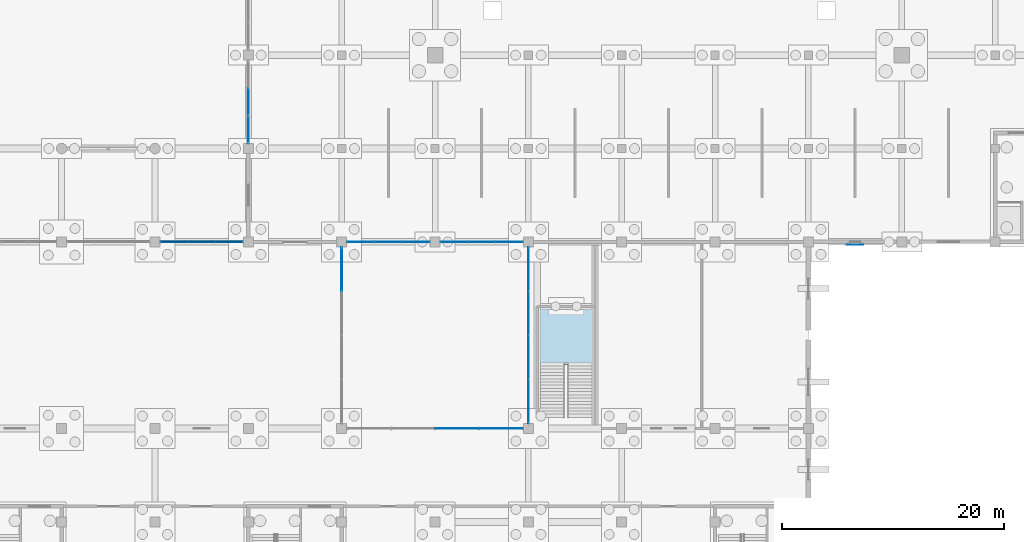
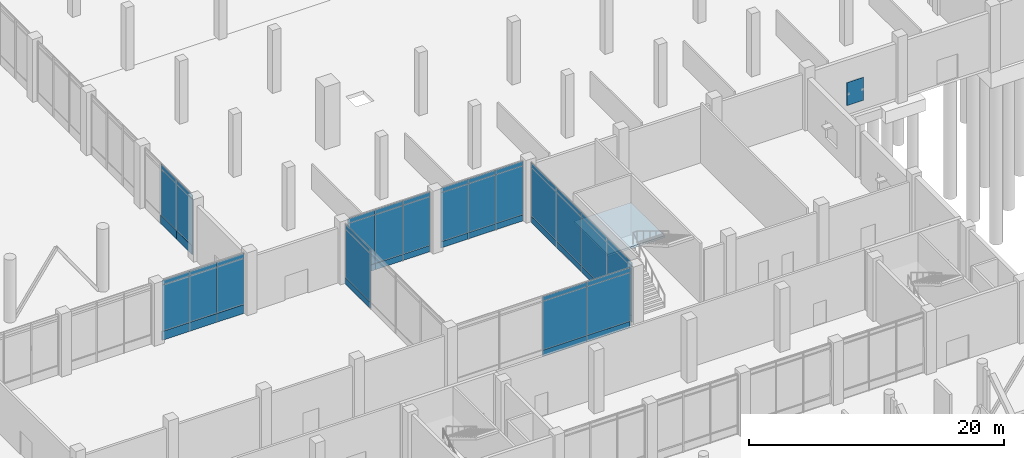
# One storey, part 47 of 72: 55 plates, 1 slab, 8 elements without a shape of their own.
"""IFC4 building model written with IfcOpenShell, lengths in metres."""

from ifc_helpers import new_model, si_unit, direction, frame, frame_2d, origin, place, context, subcontext, project, spatial, polyline, rectangle, outline, extrude, material, layer, layer_set, type_object, element, aggregate, save


model = new_model("IFC4")

# Units and contexts
model_context = context("Model", 3, precision=1e-05, world=origin(), true_north=direction((0.0, 1.0)))
body_context = subcontext(model_context, "Body", "Model", "MODEL_VIEW")
ifc_project = project(units=[si_unit("LENGTHUNIT", "METRE"), si_unit("AREAUNIT", "SQUARE_METRE"), si_unit("VOLUMEUNIT", "CUBIC_METRE"), si_unit("PLANEANGLEUNIT", "RADIAN"), si_unit("MASSUNIT", "GRAM", prefix="KILO")], contexts=[model_context])

# Site, building, storey
site_placement = place(None, origin())
site = spatial("IfcSite", under=ifc_project, at=site_placement, CompositionType="ELEMENT")
building_placement = place(site_placement, origin())
building = spatial("IfcBuilding", under=site, at=building_placement, Name="Qawsi Khor Wholesale Market", CompositionType="ELEMENT")
storey_placement = place(building_placement, origin())
storey = spatial("IfcBuildingStorey", under=building, at=storey_placement, Name="L00", CompositionType="ELEMENT", Elevation=0.0)

# Stair, slab
ifc_material_1 = material(Name="Concrete C40/50", Category="concrete")
stair_type = type_object("IfcStairType", Name="Atrium Feature Stair 6000 Rise", PredefinedType="HALF_TURN_STAIR", material=ifc_material_1)
stair_placement = place(storey_placement, origin())
stair = element("IfcStair", 1, at=stair_placement, inside=storey, type_object=stair_type, Name="Atrium feature stair E L00", PredefinedType="HALF_TURN_STAIR")
ifc_layer_1 = layer(ifc_material_1, 0.199951171875, Name="Concrete C40/50")
ifc_layer_set_1 = layer_set([ifc_layer_1], Name="Concrete C40/50")
slab_type = type_object("IfcSlabType", Name="Atrium Feature Landing Slab 200 C40/50", PredefinedType="LANDING", material=ifc_layer_set_1)
slab_placement = place(storey_placement, frame((0.0, 0.0, 2.800048828125)))
slab = element("IfcSlab", 2, at=slab_placement, type_object=slab_type, Name="ST-AE-0 landing 1", PredefinedType="LANDING", context=body_context, shape_type="SweptSolid", body=[
    extrude(outline(polyline([(168.820068359375, 30.969970703125), (173.97998046875, 30.969970703125), (173.97998046875, 36.219970703125), (168.820068359375, 36.219970703125), (168.820068359375, 30.969970703125)])), origin(), (0.0, 0.0, 1.0), 0.199951171875),
])
aggregate(stair, [slab])

# Curtain wall, plates
ifc_material_2 = material(Name="Aluminium Anodised Bronze", Category="aluminium")
ifc_layer_2 = layer(ifc_material_2, 0.179931640625, Name="Aluminium Anodised Bronze")
ifc_layer_set_2 = layer_set([ifc_layer_2], Name="Aluminium Anodised Bronze")
curtain_wall_type_1 = type_object("IfcCurtainWallType", Name="Atrium Full-Height Curtain Wall CW-02", PredefinedType="NOTDEFINED", material=ifc_layer_set_2)
curtain_wall_1_placement = place(storey_placement, origin())
curtain_wall_1 = element("IfcCurtainWall", 3, at=curtain_wall_1_placement, inside=storey, type_object=curtain_wall_type_1, Name="Curtain wall CW-CW-02-L00-031", PredefinedType="NOTDEFINED")
ifc_material_3 = material(Name="Anodised Aluminium Spandrel", Category="aluminium")
ifc_layer_3 = layer(ifc_material_3, 0.06494140625, Name="Anodised Aluminium Spandrel")
ifc_layer_set_3 = layer_set([ifc_layer_3], Name="Anodised Aluminium Spandrel")
plate_type_1 = type_object("IfcPlateType", Name="Insulated Spandrel Panel CW-02 65mm", PredefinedType="CURTAIN_PANEL", material=ifc_layer_set_3)
plate_1_placement = place(storey_placement, frame((159.60009765625, 25.199951171875, 0.0048828125), z_axis=(0.0, 0.0, 1.0), x_axis=(1.0, 0.0, 0.0)))
plate_1 = element("IfcPlate", 4, at=plate_1_placement, type_object=plate_type_1, Name="Curtain panel CW-CW-02-L00-031-P0_02", PredefinedType="CURTAIN_PANEL", context=body_context, shape_type="SweptSolid", body=[
    extrude(rectangle(XDim=3.952392578125, YDim=0.06494140625, at=frame_2d((1.97607421875, 0.0))), origin(), (0.0, 0.0, 1.0), 0.590087890625),
])
plate_2_placement = place(storey_placement, frame((163.552490234375, 25.199951171875, 0.0048828125), z_axis=(0.0, 0.0, 1.0), x_axis=(1.0, 0.0, 0.0)))
plate_2 = element("IfcPlate", 5, at=plate_2_placement, type_object=plate_type_1, Name="Curtain panel CW-CW-02-L00-031-P0_03", PredefinedType="CURTAIN_PANEL", context=body_context, shape_type="SweptSolid", body=[
    extrude(rectangle(XDim=3.952392578125, YDim=0.06494140625, at=frame_2d((1.97607421875, 0.0))), origin(), (0.0, 0.0, 1.0), 0.590087890625),
])

curtain_wall_2_placement = place(storey_placement, origin())
curtain_wall_2 = element("IfcCurtainWall", 6, at=curtain_wall_2_placement, inside=storey, type_object=curtain_wall_type_1, Name="Curtain wall CW-CW-02-L00-032", PredefinedType="NOTDEFINED")
plate_3_placement = place(storey_placement, frame((151.695068359375, 42.0, 0.0048828125), z_axis=(0.0, 0.0, 1.0), x_axis=(1.0, 0.0, 0.0)))
plate_3 = element("IfcPlate", 7, at=plate_3_placement, type_object=plate_type_1, Name="Curtain panel CW-CW-02-L00-032-P0_00", PredefinedType="CURTAIN_PANEL", context=body_context, shape_type="SweptSolid", body=[
    extrude(rectangle(XDim=2.469970703125, YDim=0.06494140625, at=frame_2d((1.23486328125, 0.0))), origin(), (0.0, 0.0, 1.0), 0.590087890625),
])
plate_4_placement = place(storey_placement, frame((154.1650390625, 42.0, 0.0048828125), z_axis=(0.0, 0.0, 1.0), x_axis=(1.0, 0.0, 0.0)))
plate_4 = element("IfcPlate", 8, at=plate_4_placement, type_object=plate_type_1, Name="Curtain panel CW-CW-02-L00-032-P0_01", PredefinedType="CURTAIN_PANEL", context=body_context, shape_type="SweptSolid", body=[
    extrude(rectangle(XDim=2.469970703125, YDim=0.06494140625, at=frame_2d((1.23486328125, 0.0))), origin(), (0.0, 0.0, 1.0), 0.590087890625),
])
plate_5_placement = place(storey_placement, frame((156.635009765625, 42.0, 0.0048828125), z_axis=(0.0, 0.0, 1.0), x_axis=(1.0, 0.0, 0.0)))
plate_5 = element("IfcPlate", 9, at=plate_5_placement, type_object=plate_type_1, Name="Curtain panel CW-CW-02-L00-032-P0_02", PredefinedType="CURTAIN_PANEL", context=body_context, shape_type="SweptSolid", body=[
    extrude(rectangle(XDim=2.469970703125, YDim=0.06494140625, at=frame_2d((1.23486328125, 0.0))), origin(), (0.0, 0.0, 1.0), 0.590087890625),
])

curtain_wall_3_placement = place(storey_placement, origin())
curtain_wall_3 = element("IfcCurtainWall", 10, at=curtain_wall_3_placement, inside=storey, type_object=curtain_wall_type_1, Name="Curtain wall CW-CW-02-L00-033", PredefinedType="NOTDEFINED")
plate_6_placement = place(storey_placement, frame((160.094970703125, 42.0, 0.0048828125), z_axis=(0.0, 0.0, 1.0), x_axis=(1.0, 0.0, 0.0)))
plate_6 = element("IfcPlate", 11, at=plate_6_placement, type_object=plate_type_1, Name="Curtain panel CW-CW-02-L00-033-P0_00", PredefinedType="CURTAIN_PANEL", context=body_context, shape_type="SweptSolid", body=[
    extrude(rectangle(XDim=2.469970703125, YDim=0.06494140625, at=frame_2d((1.23486328125, 0.0))), origin(), (0.0, 0.0, 1.0), 0.590087890625),
])
plate_7_placement = place(storey_placement, frame((162.56494140625, 42.0, 0.0048828125), z_axis=(0.0, 0.0, 1.0), x_axis=(1.0, 0.0, 0.0)))
plate_7 = element("IfcPlate", 12, at=plate_7_placement, type_object=plate_type_1, Name="Curtain panel CW-CW-02-L00-033-P0_01", PredefinedType="CURTAIN_PANEL", context=body_context, shape_type="SweptSolid", body=[
    extrude(rectangle(XDim=2.469970703125, YDim=0.06494140625, at=frame_2d((1.23486328125, 0.0))), origin(), (0.0, 0.0, 1.0), 0.590087890625),
])
plate_8_placement = place(storey_placement, frame((165.034912109375, 42.0, 0.0048828125), z_axis=(0.0, 0.0, 1.0), x_axis=(1.0, 0.0, 0.0)))
plate_8 = element("IfcPlate", 13, at=plate_8_placement, type_object=plate_type_1, Name="Curtain panel CW-CW-02-L00-033-P0_02", PredefinedType="CURTAIN_PANEL", context=body_context, shape_type="SweptSolid", body=[
    extrude(rectangle(XDim=2.469970703125, YDim=0.06494140625, at=frame_2d((1.23486328125, 0.0))), origin(), (0.0, 0.0, 1.0), 0.590087890625),
])

# Curtain wall, plate
curtain_wall_4_placement = place(storey_placement, origin())
curtain_wall_4 = element("IfcCurtainWall", 14, at=curtain_wall_4_placement, inside=storey, type_object=curtain_wall_type_1, Name="Curtain wall CW-CW-02-L00-034", PredefinedType="NOTDEFINED")
plate_9_placement = place(storey_placement, frame((151.199951171875, 37.552490234375, 0.0048828125), z_axis=(0.0, 0.0, 1.0), x_axis=(0.0, 1.0, 0.0)))
plate_9 = element("IfcPlate", 15, at=plate_9_placement, type_object=plate_type_1, Name="Curtain panel CW-CW-02-L00-034-P0_03", PredefinedType="CURTAIN_PANEL", context=body_context, shape_type="SweptSolid", body=[
    extrude(rectangle(XDim=3.952392578125, YDim=0.06494140625, at=frame_2d((1.97607421875, 0.0))), origin(), (0.0, 0.0, 1.0), 0.590087890625),
])

# Curtain wall, plates
curtain_wall_5_placement = place(storey_placement, origin())
curtain_wall_5 = element("IfcCurtainWall", 16, at=curtain_wall_5_placement, inside=storey, type_object=curtain_wall_type_1, Name="Curtain wall CW-CW-02-L00-035", PredefinedType="NOTDEFINED")
plate_10_placement = place(storey_placement, frame((168.0, 25.695068359375, 0.0048828125), z_axis=(0.0, 0.0, 1.0), x_axis=(0.0, 1.0, 0.0)))
plate_10 = element("IfcPlate", 17, at=plate_10_placement, type_object=plate_type_1, Name="Curtain panel CW-CW-02-L00-035-P0_00", PredefinedType="CURTAIN_PANEL", context=body_context, shape_type="SweptSolid", body=[
    extrude(rectangle(XDim=3.952392578125, YDim=0.06494140625, at=frame_2d((1.97607421875, 0.0))), origin(), (0.0, 0.0, 1.0), 0.590087890625),
])
plate_11_placement = place(storey_placement, frame((168.0, 29.6474609375, 0.0048828125), z_axis=(0.0, 0.0, 1.0), x_axis=(0.0, 1.0, 0.0)))
plate_11 = element("IfcPlate", 18, at=plate_11_placement, type_object=plate_type_1, Name="Curtain panel CW-CW-02-L00-035-P0_01", PredefinedType="CURTAIN_PANEL", context=body_context, shape_type="SweptSolid", body=[
    extrude(rectangle(XDim=3.95263671875, YDim=0.06494140625, at=frame_2d((1.976318359375, 0.0))), origin(), (0.0, 0.0, 1.0), 0.590087890625),
])
plate_12_placement = place(storey_placement, frame((168.0, 33.60009765625, 0.0048828125), z_axis=(0.0, 0.0, 1.0), x_axis=(0.0, 1.0, 0.0)))
plate_12 = element("IfcPlate", 19, at=plate_12_placement, type_object=plate_type_1, Name="Curtain panel CW-CW-02-L00-035-P0_02", PredefinedType="CURTAIN_PANEL", context=body_context, shape_type="SweptSolid", body=[
    extrude(rectangle(XDim=3.952392578125, YDim=0.06494140625, at=frame_2d((1.97607421875, 0.0))), origin(), (0.0, 0.0, 1.0), 0.590087890625),
])
plate_13_placement = place(storey_placement, frame((168.0, 37.552490234375, 0.0048828125), z_axis=(0.0, 0.0, 1.0), x_axis=(0.0, 1.0, 0.0)))
plate_13 = element("IfcPlate", 20, at=plate_13_placement, type_object=plate_type_1, Name="Curtain panel CW-CW-02-L00-035-P0_03", PredefinedType="CURTAIN_PANEL", context=body_context, shape_type="SweptSolid", body=[
    extrude(rectangle(XDim=3.952392578125, YDim=0.06494140625, at=frame_2d((1.97607421875, 0.0))), origin(), (0.0, 0.0, 1.0), 0.590087890625),
])

ifc_layer_4 = layer(ifc_material_2, 0.199951171875, Name="Aluminium Anodised Bronze")
ifc_layer_set_4 = layer_set([ifc_layer_4], Name="Aluminium Anodised Bronze")
curtain_wall_type_2 = type_object("IfcCurtainWallType", Name="Trading Hall North-Light Curtain Wall CW-03", PredefinedType="NOTDEFINED", material=ifc_layer_set_4)
curtain_wall_6_placement = place(storey_placement, origin())
curtain_wall_6 = element("IfcCurtainWall", 21, at=curtain_wall_6_placement, inside=storey, type_object=curtain_wall_type_2, Name="Curtain wall CW-CW-03-L00-075", PredefinedType="NOTDEFINED")
ifc_layer_5 = layer(ifc_material_3, 0.074951171875, Name="Anodised Aluminium Spandrel")
ifc_layer_set_5 = layer_set([ifc_layer_5], Name="Anodised Aluminium Spandrel")
plate_type_2 = type_object("IfcPlateType", Name="Insulated Spandrel Panel CW-03 75mm", PredefinedType="CURTAIN_PANEL", material=ifc_layer_set_5)
plate_14_placement = place(storey_placement, frame((142.800048828125, 50.8974609375, 0.0048828125), z_axis=(0.0, 0.0, 1.0), x_axis=(0.0, 1.0, 0.0)))
plate_14 = element("IfcPlate", 22, at=plate_14_placement, type_object=plate_type_2, Name="Curtain panel CW-CW-03-L00-075-P0_00", PredefinedType="CURTAIN_PANEL", context=body_context, shape_type="SweptSolid", body=[
    extrude(rectangle(XDim=2.46826171875, YDim=0.074951171875, at=frame_2d((1.234130859375, 0.0))), origin(), (0.0, 0.0, 1.0), 0.840087890625),
])
plate_15_placement = place(storey_placement, frame((142.800048828125, 53.36572265625, 0.0048828125), z_axis=(0.0, 0.0, 1.0), x_axis=(0.0, 1.0, 0.0)))
plate_15 = element("IfcPlate", 23, at=plate_15_placement, type_object=plate_type_2, Name="Curtain panel CW-CW-03-L00-075-P0_01", PredefinedType="CURTAIN_PANEL", context=body_context, shape_type="SweptSolid", body=[
    extrude(rectangle(XDim=2.468505859375, YDim=0.074951171875, at=frame_2d((1.234375, 0.0))), origin(), (0.0, 0.0, 1.0), 0.840087890625),
])

ifc_layer_6 = layer(ifc_material_2, 0.169921875, Name="Aluminium Anodised Bronze")
ifc_layer_set_6 = layer_set([ifc_layer_6], Name="Aluminium Anodised Bronze")
curtain_wall_type_3 = type_object("IfcCurtainWallType", Name="Central Court Gallery Curtain Wall CW-05", PredefinedType="NOTDEFINED", material=ifc_layer_set_6)
curtain_wall_7_placement = place(storey_placement, origin())
curtain_wall_7 = element("IfcCurtainWall", 24, at=curtain_wall_7_placement, inside=storey, type_object=curtain_wall_type_3, Name="Curtain wall CW-CW-05-L00-059", PredefinedType="NOTDEFINED")
ifc_layer_7 = layer(ifc_material_3, 0.094970703125, Name="Anodised Aluminium Spandrel")
ifc_layer_set_7 = layer_set([ifc_layer_7], Name="Anodised Aluminium Spandrel")
plate_type_3 = type_object("IfcPlateType", Name="Insulated Spandrel Panel CW-05 95mm", PredefinedType="CURTAIN_PANEL", material=ifc_layer_set_7)
plate_16_placement = place(storey_placement, frame((134.89990234375, 42.0, 0.0048828125), z_axis=(0.0, 0.0, 1.0), x_axis=(1.0, 0.0, 0.0)))
plate_16 = element("IfcPlate", 25, at=plate_16_placement, type_object=plate_type_3, Name="Curtain panel CW-CW-05-L00-059-P0_00", PredefinedType="CURTAIN_PANEL", context=body_context, shape_type="SweptSolid", body=[
    extrude(rectangle(XDim=2.466796875, YDim=0.094970703125, at=frame_2d((1.2333984375, 0.0))), origin(), (0.0, 0.0, 1.0), 0.840087890625),
])
plate_17_placement = place(storey_placement, frame((137.36669921875, 42.0, 0.0048828125), z_axis=(0.0, 0.0, 1.0), x_axis=(1.0, 0.0, 0.0)))
plate_17 = element("IfcPlate", 26, at=plate_17_placement, type_object=plate_type_3, Name="Curtain panel CW-CW-05-L00-059-P0_01", PredefinedType="CURTAIN_PANEL", context=body_context, shape_type="SweptSolid", body=[
    extrude(rectangle(XDim=2.466552734375, YDim=0.094970703125, at=frame_2d((1.2333984375, 0.0))), origin(), (0.0, 0.0, 1.0), 0.840087890625),
])
plate_18_placement = place(storey_placement, frame((139.833251953125, 42.0, 0.0048828125), z_axis=(0.0, 0.0, 1.0), x_axis=(1.0, 0.0, 0.0)))
plate_18 = element("IfcPlate", 27, at=plate_18_placement, type_object=plate_type_3, Name="Curtain panel CW-CW-05-L00-059-P0_02", PredefinedType="CURTAIN_PANEL", context=body_context, shape_type="SweptSolid", body=[
    extrude(rectangle(XDim=2.466796875, YDim=0.094970703125, at=frame_2d((1.2333984375, 0.0))), origin(), (0.0, 0.0, 1.0), 0.840087890625),
])

# Plate
ifc_material_4 = material(Name="Perforated Bronze-Anodised Aluminium", Category="aluminium")
ifc_layer_8 = layer(ifc_material_4, 0.014892578125, Name="Perforated Bronze-Anodised Aluminium")
ifc_layer_set_8 = layer_set([ifc_layer_8], Name="Perforated Bronze-Anodised Aluminium")
plate_type_4 = type_object("IfcPlateType", Name="Perforated Bronze Mashrabiya Screen 15mm", PredefinedType="SHEET", material=ifc_layer_set_8)
plate_19_placement = place(storey_placement, frame((198.14990234375, 41.735107421875, 0.949951171875), z_axis=(0.0, 0.0, 1.0), x_axis=(-1.0, 0.0, 0.0)))
element("IfcPlate", 28, at=plate_19_placement, inside=storey, type_object=plate_type_4, Name="Solar mashrabiya screen 089", PredefinedType="SHEET", context=body_context, shape_type="SweptSolid", body=[
    extrude(rectangle(XDim=1.5, YDim=0.014892578125, at=frame_2d((0.75, 0.0))), origin(), (0.0, 0.0, 1.0), 2.199951171875),
])

ifc_material_5 = material(Name="Tempered Low-E Solar Glass", Category="glass")
ifc_layer_9 = layer(ifc_material_5, 0.031982421875, Name="Tempered Low-E Solar Glass")
ifc_layer_set_9 = layer_set([ifc_layer_9], Name="Tempered Low-E Solar Glass")
plate_type_5 = type_object("IfcPlateType", Name="Solar Double-Glazed Unit CW-02 32mm", PredefinedType="CURTAIN_PANEL", material=ifc_layer_set_9)
plate_20_placement = place(storey_placement, frame((159.60009765625, 25.199951171875, 0.60498046875), z_axis=(0.0, 0.0, 1.0), x_axis=(1.0, 0.0, 0.0)))
plate_20 = element("IfcPlate", 29, at=plate_20_placement, type_object=plate_type_5, Name="Curtain panel CW-CW-02-L00-031-P1_02", PredefinedType="CURTAIN_PANEL", context=body_context, shape_type="SweptSolid", body=[
    extrude(rectangle(XDim=3.952392578125, YDim=0.031982421875, at=frame_2d((1.97607421875, 0.0))), origin(), (0.0, 0.0, 1.0), 4.659912109375),
])

plate_21_placement = place(storey_placement, frame((163.552490234375, 25.199951171875, 0.60498046875), z_axis=(0.0, 0.0, 1.0), x_axis=(1.0, 0.0, 0.0)))
plate_21 = element("IfcPlate", 30, at=plate_21_placement, type_object=plate_type_5, Name="Curtain panel CW-CW-02-L00-031-P1_03", PredefinedType="CURTAIN_PANEL", context=body_context, shape_type="SweptSolid", body=[
    extrude(rectangle(XDim=3.952392578125, YDim=0.031982421875, at=frame_2d((1.97607421875, 0.0))), origin(), (0.0, 0.0, 1.0), 4.659912109375),
])

plate_22_placement = place(storey_placement, frame((159.60009765625, 25.199951171875, 5.27490234375), z_axis=(0.0, 0.0, 1.0), x_axis=(1.0, 0.0, 0.0)))
plate_22 = element("IfcPlate", 31, at=plate_22_placement, type_object=plate_type_5, Name="Curtain panel CW-CW-02-L00-031-P2_02", PredefinedType="CURTAIN_PANEL", context=body_context, shape_type="SweptSolid", body=[
    extrude(rectangle(XDim=3.952392578125, YDim=0.031982421875, at=frame_2d((1.97607421875, 0.0))), origin(), (0.0, 0.0, 1.0), 0.440185546875),
])

plate_23_placement = place(storey_placement, frame((163.552490234375, 25.199951171875, 5.27490234375), z_axis=(0.0, 0.0, 1.0), x_axis=(1.0, 0.0, 0.0)))
plate_23 = element("IfcPlate", 32, at=plate_23_placement, type_object=plate_type_5, Name="Curtain panel CW-CW-02-L00-031-P2_03", PredefinedType="CURTAIN_PANEL", context=body_context, shape_type="SweptSolid", body=[
    extrude(rectangle(XDim=3.952392578125, YDim=0.031982421875, at=frame_2d((1.97607421875, 0.0))), origin(), (0.0, 0.0, 1.0), 0.440185546875),
])

aggregate(curtain_wall_1, [plate_1, plate_2, plate_20, plate_21, plate_22, plate_23])

plate_24_placement = place(storey_placement, frame((151.695068359375, 42.0, 0.60498046875), z_axis=(0.0, 0.0, 1.0), x_axis=(1.0, 0.0, 0.0)))
plate_24 = element("IfcPlate", 33, at=plate_24_placement, type_object=plate_type_5, Name="Curtain panel CW-CW-02-L00-032-P1_00", PredefinedType="CURTAIN_PANEL", context=body_context, shape_type="SweptSolid", body=[
    extrude(rectangle(XDim=2.469970703125, YDim=0.031982421875, at=frame_2d((1.23486328125, 0.0))), origin(), (0.0, 0.0, 1.0), 4.659912109375),
])

plate_25_placement = place(storey_placement, frame((154.1650390625, 42.0, 0.60498046875), z_axis=(0.0, 0.0, 1.0), x_axis=(1.0, 0.0, 0.0)))
plate_25 = element("IfcPlate", 34, at=plate_25_placement, type_object=plate_type_5, Name="Curtain panel CW-CW-02-L00-032-P1_01", PredefinedType="CURTAIN_PANEL", context=body_context, shape_type="SweptSolid", body=[
    extrude(rectangle(XDim=2.469970703125, YDim=0.031982421875, at=frame_2d((1.23486328125, 0.0))), origin(), (0.0, 0.0, 1.0), 4.659912109375),
])

plate_26_placement = place(storey_placement, frame((156.635009765625, 42.0, 0.60498046875), z_axis=(0.0, 0.0, 1.0), x_axis=(1.0, 0.0, 0.0)))
plate_26 = element("IfcPlate", 35, at=plate_26_placement, type_object=plate_type_5, Name="Curtain panel CW-CW-02-L00-032-P1_02", PredefinedType="CURTAIN_PANEL", context=body_context, shape_type="SweptSolid", body=[
    extrude(rectangle(XDim=2.469970703125, YDim=0.031982421875, at=frame_2d((1.23486328125, 0.0))), origin(), (0.0, 0.0, 1.0), 4.659912109375),
])

plate_27_placement = place(storey_placement, frame((151.695068359375, 42.0, 5.27490234375), z_axis=(0.0, 0.0, 1.0), x_axis=(1.0, 0.0, 0.0)))
plate_27 = element("IfcPlate", 36, at=plate_27_placement, type_object=plate_type_5, Name="Curtain panel CW-CW-02-L00-032-P2_00", PredefinedType="CURTAIN_PANEL", context=body_context, shape_type="SweptSolid", body=[
    extrude(rectangle(XDim=2.469970703125, YDim=0.031982421875, at=frame_2d((1.23486328125, 0.0))), origin(), (0.0, 0.0, 1.0), 0.440185546875),
])

plate_28_placement = place(storey_placement, frame((154.1650390625, 42.0, 5.27490234375), z_axis=(0.0, 0.0, 1.0), x_axis=(1.0, 0.0, 0.0)))
plate_28 = element("IfcPlate", 37, at=plate_28_placement, type_object=plate_type_5, Name="Curtain panel CW-CW-02-L00-032-P2_01", PredefinedType="CURTAIN_PANEL", context=body_context, shape_type="SweptSolid", body=[
    extrude(rectangle(XDim=2.469970703125, YDim=0.031982421875, at=frame_2d((1.23486328125, 0.0))), origin(), (0.0, 0.0, 1.0), 0.440185546875),
])

plate_29_placement = place(storey_placement, frame((156.635009765625, 42.0, 5.27490234375), z_axis=(0.0, 0.0, 1.0), x_axis=(1.0, 0.0, 0.0)))
plate_29 = element("IfcPlate", 38, at=plate_29_placement, type_object=plate_type_5, Name="Curtain panel CW-CW-02-L00-032-P2_02", PredefinedType="CURTAIN_PANEL", context=body_context, shape_type="SweptSolid", body=[
    extrude(rectangle(XDim=2.469970703125, YDim=0.031982421875, at=frame_2d((1.23486328125, 0.0))), origin(), (0.0, 0.0, 1.0), 0.440185546875),
])

aggregate(curtain_wall_2, [plate_3, plate_4, plate_5, plate_24, plate_25, plate_26, plate_27, plate_28, plate_29])

plate_30_placement = place(storey_placement, frame((160.094970703125, 42.0, 0.60498046875), z_axis=(0.0, 0.0, 1.0), x_axis=(1.0, 0.0, 0.0)))
plate_30 = element("IfcPlate", 39, at=plate_30_placement, type_object=plate_type_5, Name="Curtain panel CW-CW-02-L00-033-P1_00", PredefinedType="CURTAIN_PANEL", context=body_context, shape_type="SweptSolid", body=[
    extrude(rectangle(XDim=2.469970703125, YDim=0.031982421875, at=frame_2d((1.23486328125, 0.0))), origin(), (0.0, 0.0, 1.0), 4.659912109375),
])

plate_31_placement = place(storey_placement, frame((162.56494140625, 42.0, 0.60498046875), z_axis=(0.0, 0.0, 1.0), x_axis=(1.0, 0.0, 0.0)))
plate_31 = element("IfcPlate", 40, at=plate_31_placement, type_object=plate_type_5, Name="Curtain panel CW-CW-02-L00-033-P1_01", PredefinedType="CURTAIN_PANEL", context=body_context, shape_type="SweptSolid", body=[
    extrude(rectangle(XDim=2.469970703125, YDim=0.031982421875, at=frame_2d((1.23486328125, 0.0))), origin(), (0.0, 0.0, 1.0), 4.659912109375),
])

plate_32_placement = place(storey_placement, frame((165.034912109375, 42.0, 0.60498046875), z_axis=(0.0, 0.0, 1.0), x_axis=(1.0, 0.0, 0.0)))
plate_32 = element("IfcPlate", 41, at=plate_32_placement, type_object=plate_type_5, Name="Curtain panel CW-CW-02-L00-033-P1_02", PredefinedType="CURTAIN_PANEL", context=body_context, shape_type="SweptSolid", body=[
    extrude(rectangle(XDim=2.469970703125, YDim=0.031982421875, at=frame_2d((1.23486328125, 0.0))), origin(), (0.0, 0.0, 1.0), 4.659912109375),
])

plate_33_placement = place(storey_placement, frame((160.094970703125, 42.0, 5.27490234375), z_axis=(0.0, 0.0, 1.0), x_axis=(1.0, 0.0, 0.0)))
plate_33 = element("IfcPlate", 42, at=plate_33_placement, type_object=plate_type_5, Name="Curtain panel CW-CW-02-L00-033-P2_00", PredefinedType="CURTAIN_PANEL", context=body_context, shape_type="SweptSolid", body=[
    extrude(rectangle(XDim=2.469970703125, YDim=0.031982421875, at=frame_2d((1.23486328125, 0.0))), origin(), (0.0, 0.0, 1.0), 0.440185546875),
])

plate_34_placement = place(storey_placement, frame((162.56494140625, 42.0, 5.27490234375), z_axis=(0.0, 0.0, 1.0), x_axis=(1.0, 0.0, 0.0)))
plate_34 = element("IfcPlate", 43, at=plate_34_placement, type_object=plate_type_5, Name="Curtain panel CW-CW-02-L00-033-P2_01", PredefinedType="CURTAIN_PANEL", context=body_context, shape_type="SweptSolid", body=[
    extrude(rectangle(XDim=2.469970703125, YDim=0.031982421875, at=frame_2d((1.23486328125, 0.0))), origin(), (0.0, 0.0, 1.0), 0.440185546875),
])

plate_35_placement = place(storey_placement, frame((165.034912109375, 42.0, 5.27490234375), z_axis=(0.0, 0.0, 1.0), x_axis=(1.0, 0.0, 0.0)))
plate_35 = element("IfcPlate", 44, at=plate_35_placement, type_object=plate_type_5, Name="Curtain panel CW-CW-02-L00-033-P2_02", PredefinedType="CURTAIN_PANEL", context=body_context, shape_type="SweptSolid", body=[
    extrude(rectangle(XDim=2.469970703125, YDim=0.031982421875, at=frame_2d((1.23486328125, 0.0))), origin(), (0.0, 0.0, 1.0), 0.440185546875),
])

aggregate(curtain_wall_3, [plate_6, plate_7, plate_8, plate_30, plate_31, plate_32, plate_33, plate_34, plate_35])

plate_36_placement = place(storey_placement, frame((151.199951171875, 37.552490234375, 0.60498046875), z_axis=(0.0, 0.0, 1.0), x_axis=(0.0, 1.0, 0.0)))
plate_36 = element("IfcPlate", 45, at=plate_36_placement, type_object=plate_type_5, Name="Curtain panel CW-CW-02-L00-034-P1_03", PredefinedType="CURTAIN_PANEL", context=body_context, shape_type="SweptSolid", body=[
    extrude(rectangle(XDim=3.952392578125, YDim=0.031982421875, at=frame_2d((1.97607421875, 0.0))), origin(), (0.0, 0.0, 1.0), 4.659912109375),
])

plate_37_placement = place(storey_placement, frame((151.199951171875, 37.552490234375, 5.27490234375), z_axis=(0.0, 0.0, 1.0), x_axis=(0.0, 1.0, 0.0)))
plate_37 = element("IfcPlate", 46, at=plate_37_placement, type_object=plate_type_5, Name="Curtain panel CW-CW-02-L00-034-P2_03", PredefinedType="CURTAIN_PANEL", context=body_context, shape_type="SweptSolid", body=[
    extrude(rectangle(XDim=3.952392578125, YDim=0.031982421875, at=frame_2d((1.97607421875, 0.0))), origin(), (0.0, 0.0, 1.0), 0.440185546875),
])

aggregate(curtain_wall_4, [plate_9, plate_36, plate_37])

plate_38_placement = place(storey_placement, frame((168.0, 25.695068359375, 0.60498046875), z_axis=(0.0, 0.0, 1.0), x_axis=(0.0, 1.0, 0.0)))
plate_38 = element("IfcPlate", 47, at=plate_38_placement, type_object=plate_type_5, Name="Curtain panel CW-CW-02-L00-035-P1_00", PredefinedType="CURTAIN_PANEL", context=body_context, shape_type="SweptSolid", body=[
    extrude(rectangle(XDim=3.952392578125, YDim=0.031982421875, at=frame_2d((1.97607421875, 0.0))), origin(), (0.0, 0.0, 1.0), 4.659912109375),
])

plate_39_placement = place(storey_placement, frame((168.0, 29.6474609375, 0.60498046875), z_axis=(0.0, 0.0, 1.0), x_axis=(0.0, 1.0, 0.0)))
plate_39 = element("IfcPlate", 48, at=plate_39_placement, type_object=plate_type_5, Name="Curtain panel CW-CW-02-L00-035-P1_01", PredefinedType="CURTAIN_PANEL", context=body_context, shape_type="SweptSolid", body=[
    extrude(rectangle(XDim=3.95263671875, YDim=0.031982421875, at=frame_2d((1.976318359375, 0.0))), origin(), (0.0, 0.0, 1.0), 4.659912109375),
])

plate_40_placement = place(storey_placement, frame((168.0, 33.60009765625, 0.60498046875), z_axis=(0.0, 0.0, 1.0), x_axis=(0.0, 1.0, 0.0)))
plate_40 = element("IfcPlate", 49, at=plate_40_placement, type_object=plate_type_5, Name="Curtain panel CW-CW-02-L00-035-P1_02", PredefinedType="CURTAIN_PANEL", context=body_context, shape_type="SweptSolid", body=[
    extrude(rectangle(XDim=3.952392578125, YDim=0.031982421875, at=frame_2d((1.97607421875, 0.0))), origin(), (0.0, 0.0, 1.0), 4.659912109375),
])

plate_41_placement = place(storey_placement, frame((168.0, 37.552490234375, 0.60498046875), z_axis=(0.0, 0.0, 1.0), x_axis=(0.0, 1.0, 0.0)))
plate_41 = element("IfcPlate", 50, at=plate_41_placement, type_object=plate_type_5, Name="Curtain panel CW-CW-02-L00-035-P1_03", PredefinedType="CURTAIN_PANEL", context=body_context, shape_type="SweptSolid", body=[
    extrude(rectangle(XDim=3.952392578125, YDim=0.031982421875, at=frame_2d((1.97607421875, 0.0))), origin(), (0.0, 0.0, 1.0), 4.659912109375),
])

plate_42_placement = place(storey_placement, frame((168.0, 25.695068359375, 5.27490234375), z_axis=(0.0, 0.0, 1.0), x_axis=(0.0, 1.0, 0.0)))
plate_42 = element("IfcPlate", 51, at=plate_42_placement, type_object=plate_type_5, Name="Curtain panel CW-CW-02-L00-035-P2_00", PredefinedType="CURTAIN_PANEL", context=body_context, shape_type="SweptSolid", body=[
    extrude(rectangle(XDim=3.952392578125, YDim=0.031982421875, at=frame_2d((1.97607421875, 0.0))), origin(), (0.0, 0.0, 1.0), 0.440185546875),
])

plate_43_placement = place(storey_placement, frame((168.0, 29.6474609375, 5.27490234375), z_axis=(0.0, 0.0, 1.0), x_axis=(0.0, 1.0, 0.0)))
plate_43 = element("IfcPlate", 52, at=plate_43_placement, type_object=plate_type_5, Name="Curtain panel CW-CW-02-L00-035-P2_01", PredefinedType="CURTAIN_PANEL", context=body_context, shape_type="SweptSolid", body=[
    extrude(rectangle(XDim=3.95263671875, YDim=0.031982421875, at=frame_2d((1.976318359375, 0.0))), origin(), (0.0, 0.0, 1.0), 0.440185546875),
])

plate_44_placement = place(storey_placement, frame((168.0, 33.60009765625, 5.27490234375), z_axis=(0.0, 0.0, 1.0), x_axis=(0.0, 1.0, 0.0)))
plate_44 = element("IfcPlate", 53, at=plate_44_placement, type_object=plate_type_5, Name="Curtain panel CW-CW-02-L00-035-P2_02", PredefinedType="CURTAIN_PANEL", context=body_context, shape_type="SweptSolid", body=[
    extrude(rectangle(XDim=3.952392578125, YDim=0.031982421875, at=frame_2d((1.97607421875, 0.0))), origin(), (0.0, 0.0, 1.0), 0.440185546875),
])

plate_45_placement = place(storey_placement, frame((168.0, 37.552490234375, 5.27490234375), z_axis=(0.0, 0.0, 1.0), x_axis=(0.0, 1.0, 0.0)))
plate_45 = element("IfcPlate", 54, at=plate_45_placement, type_object=plate_type_5, Name="Curtain panel CW-CW-02-L00-035-P2_03", PredefinedType="CURTAIN_PANEL", context=body_context, shape_type="SweptSolid", body=[
    extrude(rectangle(XDim=3.952392578125, YDim=0.031982421875, at=frame_2d((1.97607421875, 0.0))), origin(), (0.0, 0.0, 1.0), 0.440185546875),
])

aggregate(curtain_wall_5, [plate_10, plate_11, plate_12, plate_13, plate_38, plate_39, plate_40, plate_41, plate_42, plate_43, plate_44, plate_45])

ifc_layer_10 = layer(ifc_material_5, 0.0419921875, Name="Tempered Low-E Solar Glass")
ifc_layer_set_10 = layer_set([ifc_layer_10], Name="Tempered Low-E Solar Glass")
plate_type_6 = type_object("IfcPlateType", Name="Solar Double-Glazed Unit CW-03 42mm", PredefinedType="CURTAIN_PANEL", material=ifc_layer_set_10)
plate_46_placement = place(storey_placement, frame((142.800048828125, 50.8974609375, 0.85498046875), z_axis=(0.0, 0.0, 1.0), x_axis=(0.0, 1.0, 0.0)))
plate_46 = element("IfcPlate", 55, at=plate_46_placement, type_object=plate_type_6, Name="Curtain panel CW-CW-03-L00-075-P1_00", PredefinedType="CURTAIN_PANEL", context=body_context, shape_type="SweptSolid", body=[
    extrude(rectangle(XDim=2.46826171875, YDim=0.0419921875, at=frame_2d((1.234130859375, 0.0))), origin(), (0.0, 0.0, 1.0), 4.419921875),
])

plate_47_placement = place(storey_placement, frame((142.800048828125, 53.36572265625, 0.85498046875), z_axis=(0.0, 0.0, 1.0), x_axis=(0.0, 1.0, 0.0)))
plate_47 = element("IfcPlate", 56, at=plate_47_placement, type_object=plate_type_6, Name="Curtain panel CW-CW-03-L00-075-P1_01", PredefinedType="CURTAIN_PANEL", context=body_context, shape_type="SweptSolid", body=[
    extrude(rectangle(XDim=2.468505859375, YDim=0.0419921875, at=frame_2d((1.234375, 0.0))), origin(), (0.0, 0.0, 1.0), 4.419921875),
])

plate_48_placement = place(storey_placement, frame((142.800048828125, 50.8974609375, 5.284912109375), z_axis=(0.0, 0.0, 1.0), x_axis=(0.0, 1.0, 0.0)))
plate_48 = element("IfcPlate", 57, at=plate_48_placement, type_object=plate_type_6, Name="Curtain panel CW-CW-03-L00-075-P2_00", PredefinedType="CURTAIN_PANEL", context=body_context, shape_type="SweptSolid", body=[
    extrude(rectangle(XDim=2.46826171875, YDim=0.0419921875, at=frame_2d((1.234130859375, 0.0))), origin(), (0.0, 0.0, 1.0), 0.440185546875),
])

plate_49_placement = place(storey_placement, frame((142.800048828125, 53.36572265625, 5.284912109375), z_axis=(0.0, 0.0, 1.0), x_axis=(0.0, 1.0, 0.0)))
plate_49 = element("IfcPlate", 58, at=plate_49_placement, type_object=plate_type_6, Name="Curtain panel CW-CW-03-L00-075-P2_01", PredefinedType="CURTAIN_PANEL", context=body_context, shape_type="SweptSolid", body=[
    extrude(rectangle(XDim=2.468505859375, YDim=0.0419921875, at=frame_2d((1.234375, 0.0))), origin(), (0.0, 0.0, 1.0), 0.440185546875),
])

aggregate(curtain_wall_6, [plate_14, plate_15, plate_46, plate_47, plate_48, plate_49])

ifc_layer_11 = layer(ifc_material_5, 0.035888671875, Name="Tempered Low-E Solar Glass")
ifc_layer_set_11 = layer_set([ifc_layer_11], Name="Tempered Low-E Solar Glass")
plate_type_7 = type_object("IfcPlateType", Name="Solar Double-Glazed Unit CW-05 36mm", PredefinedType="CURTAIN_PANEL", material=ifc_layer_set_11)
plate_50_placement = place(storey_placement, frame((134.89990234375, 42.0, 0.85498046875), z_axis=(0.0, 0.0, 1.0), x_axis=(1.0, 0.0, 0.0)))
plate_50 = element("IfcPlate", 59, at=plate_50_placement, type_object=plate_type_7, Name="Curtain panel CW-CW-05-L00-059-P1_00", PredefinedType="CURTAIN_PANEL", context=body_context, shape_type="SweptSolid", body=[
    extrude(rectangle(XDim=2.466796875, YDim=0.035888671875, at=frame_2d((1.2333984375, 0.0))), origin(), (0.0, 0.0, 1.0), 4.409912109375),
])

plate_51_placement = place(storey_placement, frame((137.36669921875, 42.0, 0.85498046875), z_axis=(0.0, 0.0, 1.0), x_axis=(1.0, 0.0, 0.0)))
plate_51 = element("IfcPlate", 60, at=plate_51_placement, type_object=plate_type_7, Name="Curtain panel CW-CW-05-L00-059-P1_01", PredefinedType="CURTAIN_PANEL", context=body_context, shape_type="SweptSolid", body=[
    extrude(rectangle(XDim=2.466552734375, YDim=0.035888671875, at=frame_2d((1.2333984375, 0.0))), origin(), (0.0, 0.0, 1.0), 4.409912109375),
])

plate_52_placement = place(storey_placement, frame((139.833251953125, 42.0, 0.85498046875), z_axis=(0.0, 0.0, 1.0), x_axis=(1.0, 0.0, 0.0)))
plate_52 = element("IfcPlate", 61, at=plate_52_placement, type_object=plate_type_7, Name="Curtain panel CW-CW-05-L00-059-P1_02", PredefinedType="CURTAIN_PANEL", context=body_context, shape_type="SweptSolid", body=[
    extrude(rectangle(XDim=2.466796875, YDim=0.035888671875, at=frame_2d((1.2333984375, 0.0))), origin(), (0.0, 0.0, 1.0), 4.409912109375),
])

plate_53_placement = place(storey_placement, frame((134.89990234375, 42.0, 5.27490234375), z_axis=(0.0, 0.0, 1.0), x_axis=(1.0, 0.0, 0.0)))
plate_53 = element("IfcPlate", 62, at=plate_53_placement, type_object=plate_type_7, Name="Curtain panel CW-CW-05-L00-059-P2_00", PredefinedType="CURTAIN_PANEL", context=body_context, shape_type="SweptSolid", body=[
    extrude(rectangle(XDim=2.466796875, YDim=0.035888671875, at=frame_2d((1.2333984375, 0.0))), origin(), (0.0, 0.0, 1.0), 0.440185546875),
])

plate_54_placement = place(storey_placement, frame((137.36669921875, 42.0, 5.27490234375), z_axis=(0.0, 0.0, 1.0), x_axis=(1.0, 0.0, 0.0)))
plate_54 = element("IfcPlate", 63, at=plate_54_placement, type_object=plate_type_7, Name="Curtain panel CW-CW-05-L00-059-P2_01", PredefinedType="CURTAIN_PANEL", context=body_context, shape_type="SweptSolid", body=[
    extrude(rectangle(XDim=2.466552734375, YDim=0.035888671875, at=frame_2d((1.2333984375, 0.0))), origin(), (0.0, 0.0, 1.0), 0.440185546875),
])

plate_55_placement = place(storey_placement, frame((139.833251953125, 42.0, 5.27490234375), z_axis=(0.0, 0.0, 1.0), x_axis=(1.0, 0.0, 0.0)))
plate_55 = element("IfcPlate", 64, at=plate_55_placement, type_object=plate_type_7, Name="Curtain panel CW-CW-05-L00-059-P2_02", PredefinedType="CURTAIN_PANEL", context=body_context, shape_type="SweptSolid", body=[
    extrude(rectangle(XDim=2.466796875, YDim=0.035888671875, at=frame_2d((1.2333984375, 0.0))), origin(), (0.0, 0.0, 1.0), 0.440185546875),
])

aggregate(curtain_wall_7, [plate_16, plate_17, plate_18, plate_50, plate_51, plate_52, plate_53, plate_54, plate_55])

save(model, "model.ifc")
